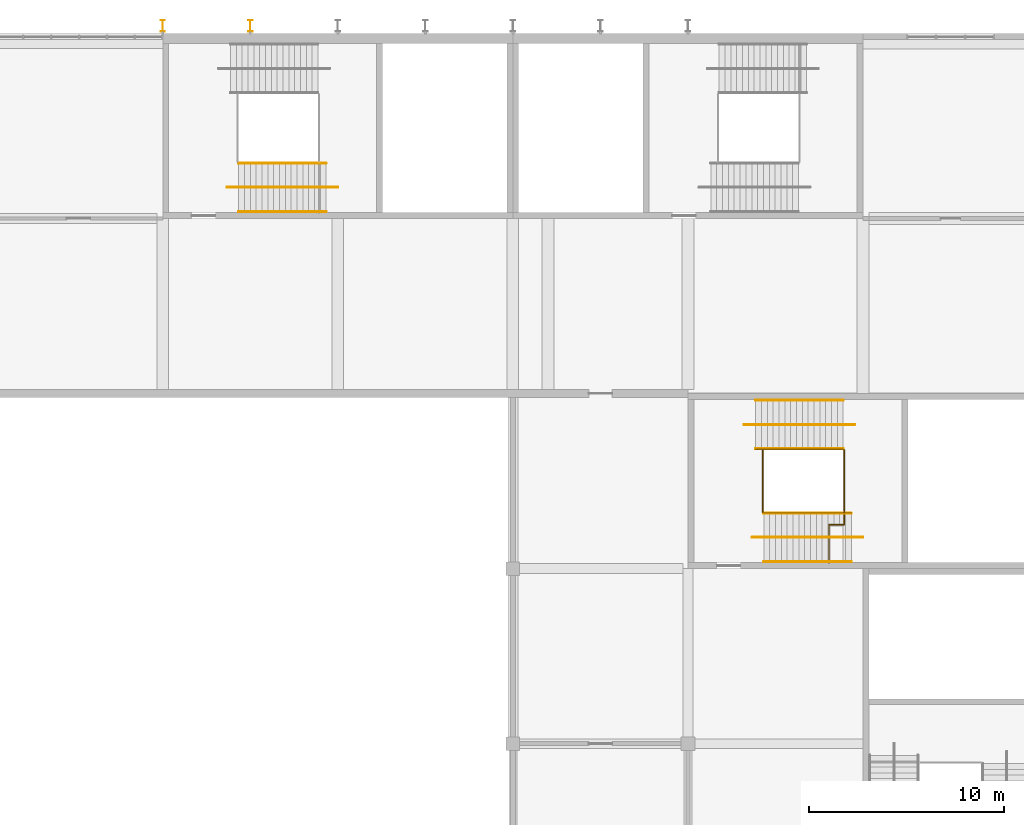
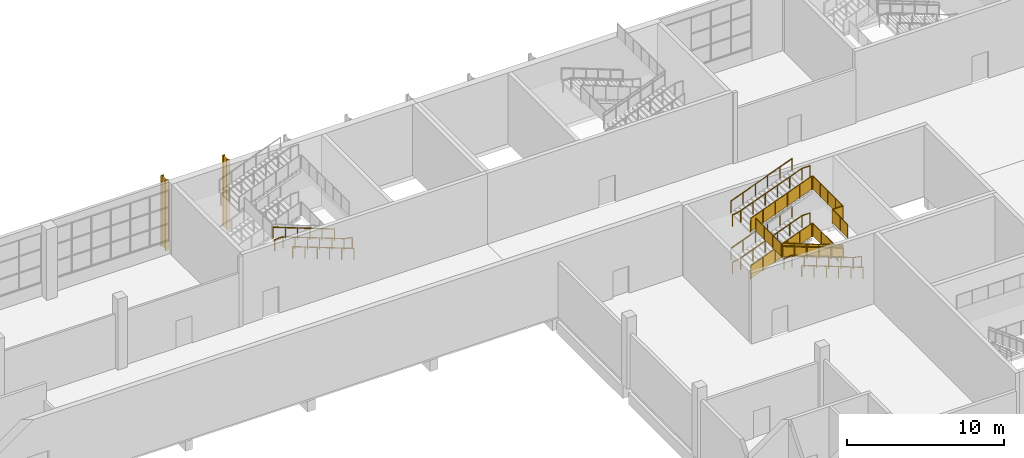
# One storey, part 76 of 84: 18 railings, 2 shading devices.
"""IFC4 building model written with IfcOpenShell, lengths in metres."""

from ifc_helpers import new_model, si_unit, direction, frame, origin, origin_2d, place, context, subcontext, project, spatial, polyline, circle, i_section, outline, extrude, material, material_profile, profile_set, type_object, element, save


model = new_model("IFC4")

# Units and contexts
model_context = context("Model", 3, precision=1e-05, world=origin(), true_north=direction((0.0, 1.0)))
body_context = subcontext(model_context, "Body", "Model", "MODEL_VIEW")
ifc_project = project(units=[si_unit("LENGTHUNIT", "METRE"), si_unit("AREAUNIT", "SQUARE_METRE"), si_unit("VOLUMEUNIT", "CUBIC_METRE"), si_unit("PLANEANGLEUNIT", "RADIAN"), si_unit("MASSUNIT", "GRAM", prefix="KILO")], contexts=[model_context])

# Site, building, storey
site_placement = place(None, origin())
site = spatial("IfcSite", under=ifc_project, at=site_placement, CompositionType="ELEMENT")
building_placement = place(site_placement, origin())
building = spatial("IfcBuilding", under=site, at=building_placement, Name="Silverbay Arena", CompositionType="ELEMENT")
storey_placement = place(building_placement, frame((0.0, 0.0, 28.0)))
storey = spatial("IfcBuildingStorey", under=building, at=storey_placement, Name="L04", CompositionType="ELEMENT", Elevation=28.0)

# Railings
ifc_material_1 = material(Name="Stainless steel", Category="steel")
railing_type_1 = type_object("IfcRailingType", Name="Stair guard 1100", PredefinedType="GUARDRAIL", material=ifc_material_1)
railing_1_placement = place(storey_placement, frame((174.4794921875, 123.125, 0.114501953125)))
element("IfcRailing", 1, at=railing_1_placement, inside=storey, type_object=railing_type_1, Name="Stair ST-NE1 L04 to L05 flight 1 guard left", PredefinedType="GUARDRAIL", context=body_context, shape_type="SweptSolid", body=[
    extrude(circle(Radius=0.02392578125, at=origin_2d()), frame((0.0, 0.0, 1.076171875), z_axis=(0.93417907455, 0.0, 0.356804507641), x_axis=(0.0, 1.0, 0.0)), (0.0, 0.0, 1.0), 4.817138671875),
    extrude(outline(polyline([(-0.008056640625, 0.046875), (0.907958984375, 0.396728515625), (0.907958984375, 1.39990234375), (-0.008056640625, 1.050048828125), (-0.008056640625, 0.046875)])), frame((0.0, 0.0029296875, 0.0), z_axis=(0.0, -1.0, 0.0), x_axis=(1.0, 0.0, 0.0)), (0.0, 0.0, 1.0), 0.006103515625),
    extrude(outline(polyline([(-0.008056640625, 0.390625), (0.907958984375, 0.740478515625), (0.907958984375, 1.74365234375), (-0.008056640625, 1.393798828125), (-0.008056640625, 0.390625)])), frame((0.89990234375, 0.0029296875, 0.0), z_axis=(0.0, -1.0, 0.0), x_axis=(1.0, 0.0, 0.0)), (0.0, 0.0, 1.0), 0.006103515625),
    extrude(outline(polyline([(-0.008056640625, 0.734375), (0.907958984375, 1.084228515625), (0.907958984375, 2.08740234375), (-0.008056640625, 1.737548828125), (-0.008056640625, 0.734375)])), frame((1.800048828125, 0.0029296875, 0.0), z_axis=(0.0, -1.0, 0.0), x_axis=(1.0, 0.0, 0.0)), (0.0, 0.0, 1.0), 0.006103515625),
    extrude(outline(polyline([(-0.008056640625, 1.078125), (0.907958984375, 1.427978515625), (0.907958984375, 2.43115234375), (-0.008056640625, 2.081298828125), (-0.008056640625, 1.078125)])), frame((2.699951171875, 0.0029296875, 0.0), z_axis=(0.0, -1.0, 0.0), x_axis=(1.0, 0.0, 0.0)), (0.0, 0.0, 1.0), 0.006103515625),
    extrude(outline(polyline([(-0.008056640625, 1.421875), (0.907958984375, 1.771728515625), (0.907958984375, 2.77490234375), (-0.008056640625, 2.425048828125), (-0.008056640625, 1.421875)])), frame((3.60009765625, 0.0029296875, 0.0), z_axis=(0.0, -1.0, 0.0), x_axis=(1.0, 0.0, 0.0)), (0.0, 0.0, 1.0), 0.006103515625),
    extrude(circle(Radius=0.02099609375, at=origin_2d()), origin(), (0.0, 0.0, 1.0), 1.052001953125),
    extrude(circle(Radius=0.02099609375, at=origin_2d()), frame((0.89990234375, 0.0, 0.34375)), (0.0, 0.0, 1.0), 1.052001953125),
    extrude(circle(Radius=0.02099609375, at=origin_2d()), frame((1.800048828125, 0.0, 0.6875)), (0.0, 0.0, 1.0), 1.052001953125),
    extrude(circle(Radius=0.02099609375, at=origin_2d()), frame((2.699951171875, 0.0, 1.03125)), (0.0, 0.0, 1.0), 1.052001953125),
    extrude(circle(Radius=0.02099609375, at=origin_2d()), frame((3.60009765625, 0.0, 1.375)), (0.0, 0.0, 1.0), 1.052001953125),
    extrude(circle(Radius=0.02099609375, at=origin_2d()), frame((4.5, 0.0, 1.71875)), (0.0, 0.0, 1.0), 1.052001953125),
])
railing_2_placement = place(storey_placement, frame((179.39990234375, 119.875, 1.947998046875)))
element("IfcRailing", 2, at=railing_2_placement, inside=storey, type_object=railing_type_1, Name="Stair ST-NE1 L04 to L05 flight 2 guard right", PredefinedType="GUARDRAIL", context=body_context, shape_type="SweptSolid", body=[
    extrude(circle(Radius=0.02392578125, at=origin_2d()), frame((0.0, 0.0, 1.076171875), z_axis=(-0.93417907455, 0.0, 0.356804507641), x_axis=(0.0, -1.0, 0.0)), (0.0, 0.0, 1.0), 4.817138671875),
    extrude(outline(polyline([(-0.008056640625, 0.046875), (0.907958984375, 0.396728515625), (0.907958984375, 1.39990234375), (-0.008056640625, 1.050048828125), (-0.008056640625, 0.046875)])), frame((0.0, -0.0029296875, 0.0), z_axis=(0.0, 1.0, 0.0), x_axis=(-1.0, 0.0, 0.0)), (0.0, 0.0, 1.0), 0.006103515625),
    extrude(outline(polyline([(-0.008056640625, 0.390625), (0.907958984375, 0.740478515625), (0.907958984375, 1.74365234375), (-0.008056640625, 1.393798828125), (-0.008056640625, 0.390625)])), frame((-0.89990234375, -0.0029296875, 0.0), z_axis=(0.0, 1.0, 0.0), x_axis=(-1.0, 0.0, 0.0)), (0.0, 0.0, 1.0), 0.006103515625),
    extrude(outline(polyline([(-0.008056640625, 0.734375), (0.907958984375, 1.084228515625), (0.907958984375, 2.08740234375), (-0.008056640625, 1.737548828125), (-0.008056640625, 0.734375)])), frame((-1.800048828125, -0.0029296875, 0.0), z_axis=(0.0, 1.0, 0.0), x_axis=(-1.0, 0.0, 0.0)), (0.0, 0.0, 1.0), 0.006103515625),
    extrude(outline(polyline([(-0.008056640625, 1.078125), (0.907958984375, 1.427978515625), (0.907958984375, 2.43115234375), (-0.008056640625, 2.081298828125), (-0.008056640625, 1.078125)])), frame((-2.699951171875, -0.0029296875, 0.0), z_axis=(0.0, 1.0, 0.0), x_axis=(-1.0, 0.0, 0.0)), (0.0, 0.0, 1.0), 0.006103515625),
    extrude(outline(polyline([(-0.008056640625, 1.421875), (0.907958984375, 1.771728515625), (0.907958984375, 2.77490234375), (-0.008056640625, 2.425048828125), (-0.008056640625, 1.421875)])), frame((-3.60009765625, -0.0029296875, 0.0), z_axis=(0.0, 1.0, 0.0), x_axis=(-1.0, 0.0, 0.0)), (0.0, 0.0, 1.0), 0.006103515625),
    extrude(circle(Radius=0.02099609375, at=origin_2d()), origin(), (0.0, 0.0, 1.0), 1.052001953125),
    extrude(circle(Radius=0.02099609375, at=origin_2d()), frame((-0.89990234375, 0.0, 0.34375)), (0.0, 0.0, 1.0), 1.052001953125),
    extrude(circle(Radius=0.02099609375, at=origin_2d()), frame((-1.800048828125, 0.0, 0.6875)), (0.0, 0.0, 1.0), 1.052001953125),
    extrude(circle(Radius=0.02099609375, at=origin_2d()), frame((-2.699951171875, 0.0, 1.03125)), (0.0, 0.0, 1.0), 1.052001953125),
    extrude(circle(Radius=0.02099609375, at=origin_2d()), frame((-3.60009765625, 0.0, 1.375)), (0.0, 0.0, 1.0), 1.052001953125),
    extrude(circle(Radius=0.02099609375, at=origin_2d()), frame((-4.5, 0.0, 1.71875)), (0.0, 0.0, 1.0), 1.052001953125),
])
railing_3_placement = place(storey_placement, frame((174.4794921875, 123.125, 3.78125)))
element("IfcRailing", 3, at=railing_3_placement, inside=storey, type_object=railing_type_1, Name="Stair ST-NE1 L04 to L05 flight 3 guard left", PredefinedType="GUARDRAIL", context=body_context, shape_type="SweptSolid", body=[
    extrude(circle(Radius=0.02392578125, at=origin_2d()), frame((0.0, 0.0, 1.076171875), z_axis=(0.93417907455, 0.0, 0.356804507641), x_axis=(0.0, 1.0, 0.0)), (0.0, 0.0, 1.0), 4.817138671875),
    extrude(outline(polyline([(-0.008056640625, 0.046875), (0.907958984375, 0.396728515625), (0.907958984375, 1.39990234375), (-0.008056640625, 1.050048828125), (-0.008056640625, 0.046875)])), frame((0.0, 0.0029296875, 0.0), z_axis=(0.0, -1.0, 0.0), x_axis=(1.0, 0.0, 0.0)), (0.0, 0.0, 1.0), 0.006103515625),
    extrude(outline(polyline([(-0.008056640625, 0.390625), (0.907958984375, 0.740478515625), (0.907958984375, 1.74365234375), (-0.008056640625, 1.393798828125), (-0.008056640625, 0.390625)])), frame((0.89990234375, 0.0029296875, 0.0), z_axis=(0.0, -1.0, 0.0), x_axis=(1.0, 0.0, 0.0)), (0.0, 0.0, 1.0), 0.006103515625),
    extrude(outline(polyline([(-0.008056640625, 0.734375), (0.907958984375, 1.084228515625), (0.907958984375, 2.08740234375), (-0.008056640625, 1.737548828125), (-0.008056640625, 0.734375)])), frame((1.800048828125, 0.0029296875, 0.0), z_axis=(0.0, -1.0, 0.0), x_axis=(1.0, 0.0, 0.0)), (0.0, 0.0, 1.0), 0.006103515625),
    extrude(outline(polyline([(-0.008056640625, 1.078125), (0.907958984375, 1.427978515625), (0.907958984375, 2.43115234375), (-0.008056640625, 2.081298828125), (-0.008056640625, 1.078125)])), frame((2.699951171875, 0.0029296875, 0.0), z_axis=(0.0, -1.0, 0.0), x_axis=(1.0, 0.0, 0.0)), (0.0, 0.0, 1.0), 0.006103515625),
    extrude(outline(polyline([(-0.008056640625, 1.421875), (0.907958984375, 1.771728515625), (0.907958984375, 2.77490234375), (-0.008056640625, 2.425048828125), (-0.008056640625, 1.421875)])), frame((3.60009765625, 0.0029296875, 0.0), z_axis=(0.0, -1.0, 0.0), x_axis=(1.0, 0.0, 0.0)), (0.0, 0.0, 1.0), 0.006103515625),
    extrude(circle(Radius=0.02099609375, at=origin_2d()), origin(), (0.0, 0.0, 1.0), 1.052001953125),
    extrude(circle(Radius=0.02099609375, at=origin_2d()), frame((0.89990234375, 0.0, 0.34375)), (0.0, 0.0, 1.0), 1.052001953125),
    extrude(circle(Radius=0.02099609375, at=origin_2d()), frame((1.800048828125, 0.0, 0.6875)), (0.0, 0.0, 1.0), 1.052001953125),
    extrude(circle(Radius=0.02099609375, at=origin_2d()), frame((2.699951171875, 0.0, 1.03125)), (0.0, 0.0, 1.0), 1.052001953125),
    extrude(circle(Radius=0.02099609375, at=origin_2d()), frame((3.60009765625, 0.0, 1.375)), (0.0, 0.0, 1.0), 1.052001953125),
    extrude(circle(Radius=0.02099609375, at=origin_2d()), frame((4.5, 0.0, 1.71875)), (0.0, 0.0, 1.0), 1.052001953125),
])
for number, where, name in (
    (4, (179.029541015625, 119.89990234375, 1.833251953125), "Stair ST-NE1 L04 to L05 landing 1 guard"),
    (5, (174.85009765625, 119.89990234375, 3.666748046875), "Stair ST-NE1 L04 to L05 landing 2 guard"),
):
    element("IfcRailing", number, at=place(storey_placement, frame(where)), inside=storey, type_object=railing_type_1, Name=name, PredefinedType="GUARDRAIL", context=body_context, shape_type="SweptSolid", body=[
        extrude(circle(Radius=0.02392578125, at=origin_2d()), frame((0.0, 0.0, 1.076171875), z_axis=(0.0, 1.0, 0.0), x_axis=(-1.0, 0.0, 0.0)), (0.0, 0.0, 1.0), 3.2001953125),
        extrude(outline(polyline([(-0.008056640625, 0.050048828125), (1.07470703125, 0.050048828125), (1.07470703125, 1.052978515625), (-0.008056640625, 1.052978515625), (-0.008056640625, 0.050048828125)])), frame((-0.0029296875, 0.0, 0.0), z_axis=(1.0, 0.0, 0.0), x_axis=(0.0, 1.0, 0.0)), (0.0, 0.0, 1.0), 0.006103515625),
        extrude(outline(polyline([(-0.008056640625, 0.050048828125), (1.07470703125, 0.050048828125), (1.07470703125, 1.052978515625), (-0.008056640625, 1.052978515625), (-0.008056640625, 0.050048828125)])), frame((-0.0029296875, 1.066650390625, 0.0), z_axis=(1.0, 0.0, 0.0), x_axis=(0.0, 1.0, 0.0)), (0.0, 0.0, 1.0), 0.006103515625),
        extrude(outline(polyline([(-0.008056640625, 0.050048828125), (1.07470703125, 0.050048828125), (1.07470703125, 1.052978515625), (-0.008056640625, 1.052978515625), (-0.008056640625, 0.050048828125)])), frame((-0.0029296875, 2.133544921875, 0.0), z_axis=(1.0, 0.0, 0.0), x_axis=(0.0, 1.0, 0.0)), (0.0, 0.0, 1.0), 0.006103515625),
        extrude(circle(Radius=0.02099609375, at=origin_2d()), origin(), (0.0, 0.0, 1.0), 1.052001953125),
        extrude(circle(Radius=0.02099609375, at=origin_2d()), frame((0.0, 1.066650390625, 0.0)), (0.0, 0.0, 1.0), 1.052001953125),
        extrude(circle(Radius=0.02099609375, at=origin_2d()), frame((0.0, 2.133544921875, 0.0)), (0.0, 0.0, 1.0), 1.052001953125),
        extrude(circle(Radius=0.02099609375, at=origin_2d()), frame((0.0, 3.2001953125, 0.0)), (0.0, 0.0, 1.0), 1.052001953125),
    ])
railing_4_placement = place(storey_placement, frame((179.029541015625, 123.10009765625, 5.5)))
element("IfcRailing", 6, at=railing_4_placement, inside=storey, type_object=railing_type_1, Name="Stair ST-NE1 L04 to L05 landing 3 guard", PredefinedType="GUARDRAIL", context=body_context, shape_type="SweptSolid", body=[
    extrude(circle(Radius=0.02392578125, at=origin_2d()), frame((0.0, 0.0, 1.076171875), z_axis=(0.0, -1.0, 0.0), x_axis=(1.0, 0.0, 0.0)), (0.0, 0.0, 1.0), 3.85009765625),
    extrude(outline(polyline([(-0.008056640625, 0.050048828125), (0.970458984375, 0.050048828125), (0.970458984375, 1.052978515625), (-0.008056640625, 1.052978515625), (-0.008056640625, 0.050048828125)])), frame((0.0029296875, 0.0, 0.0), z_axis=(-1.0, 0.0, 0.0), x_axis=(0.0, -1.0, 0.0)), (0.0, 0.0, 1.0), 0.006103515625),
    extrude(outline(polyline([(-0.008056640625, 0.050048828125), (0.970458984375, 0.050048828125), (0.970458984375, 1.052978515625), (-0.008056640625, 1.052978515625), (-0.008056640625, 0.050048828125)])), frame((0.0029296875, -0.96240234375, 0.0), z_axis=(-1.0, 0.0, 0.0), x_axis=(0.0, -1.0, 0.0)), (0.0, 0.0, 1.0), 0.006103515625),
    extrude(outline(polyline([(-0.008056640625, 0.050048828125), (0.970458984375, 0.050048828125), (0.970458984375, 1.052978515625), (-0.008056640625, 1.052978515625), (-0.008056640625, 0.050048828125)])), frame((0.0029296875, -1.925048828125, 0.0), z_axis=(-1.0, 0.0, 0.0), x_axis=(0.0, -1.0, 0.0)), (0.0, 0.0, 1.0), 0.006103515625),
    extrude(outline(polyline([(-0.008056640625, 0.050048828125), (0.970458984375, 0.050048828125), (0.970458984375, 1.052978515625), (-0.008056640625, 1.052978515625), (-0.008056640625, 0.050048828125)])), frame((0.0029296875, -2.8876953125, 0.0), z_axis=(-1.0, 0.0, 0.0), x_axis=(0.0, -1.0, 0.0)), (0.0, 0.0, 1.0), 0.006103515625),
    extrude(circle(Radius=0.02392578125, at=origin_2d()), frame((0.0, -3.85009765625, 1.076171875), z_axis=(-1.0, 0.0, 0.0), x_axis=(0.0, -1.0, 0.0)), (0.0, 0.0, 1.0), 0.780029296875),
    extrude(outline(polyline([(-0.008056640625, 0.050048828125), (0.7880859375, 0.050048828125), (0.7880859375, 1.052978515625), (-0.008056640625, 1.052978515625), (-0.008056640625, 0.050048828125)])), frame((0.0, -3.85302734375, 0.0), z_axis=(0.0, 1.0, 0.0), x_axis=(-1.0, 0.0, 0.0)), (0.0, 0.0, 1.0), 0.006103515625),
    extrude(circle(Radius=0.02392578125, at=origin_2d()), frame((-0.780029296875, -3.85009765625, 1.076171875), z_axis=(0.0, -1.0, 0.0), x_axis=(1.0, 0.0, 0.0)), (0.0, 0.0, 1.0), 1.949951171875),
    extrude(outline(polyline([(-0.008056640625, 0.050048828125), (0.98291015625, 0.050048828125), (0.98291015625, 1.052978515625), (-0.008056640625, 1.052978515625), (-0.008056640625, 0.050048828125)])), frame((-0.777099609375, -3.85009765625, 0.0), z_axis=(-1.0, 0.0, 0.0), x_axis=(0.0, -1.0, 0.0)), (0.0, 0.0, 1.0), 0.006103515625),
    extrude(outline(polyline([(-0.008056640625, 0.050048828125), (0.98291015625, 0.050048828125), (0.98291015625, 1.052978515625), (-0.008056640625, 1.052978515625), (-0.008056640625, 0.050048828125)])), frame((-0.777099609375, -4.8251953125, 0.0), z_axis=(-1.0, 0.0, 0.0), x_axis=(0.0, -1.0, 0.0)), (0.0, 0.0, 1.0), 0.006103515625),
    extrude(circle(Radius=0.02099609375, at=origin_2d()), origin(), (0.0, 0.0, 1.0), 1.052001953125),
    extrude(circle(Radius=0.02099609375, at=origin_2d()), frame((0.0, -0.96240234375, 0.0)), (0.0, 0.0, 1.0), 1.052001953125),
    extrude(circle(Radius=0.02099609375, at=origin_2d()), frame((0.0, -1.925048828125, 0.0)), (0.0, 0.0, 1.0), 1.052001953125),
    extrude(circle(Radius=0.02099609375, at=origin_2d()), frame((0.0, -2.8876953125, 0.0)), (0.0, 0.0, 1.0), 1.052001953125),
    extrude(circle(Radius=0.02099609375, at=origin_2d()), frame((0.0, -3.85009765625, 0.0)), (0.0, 0.0, 1.0), 1.052001953125),
    extrude(circle(Radius=0.02099609375, at=origin_2d()), frame((-0.780029296875, -3.85009765625, 0.0)), (0.0, 0.0, 1.0), 1.052001953125),
    extrude(circle(Radius=0.02099609375, at=origin_2d()), frame((-0.780029296875, -4.8251953125, 0.0)), (0.0, 0.0, 1.0), 1.052001953125),
    extrude(circle(Radius=0.02099609375, at=origin_2d()), frame((-0.780029296875, -5.800048828125, 0.0)), (0.0, 0.0, 1.0), 1.052001953125),
])
ifc_material_2 = material(Name="Stainless steel", Category="steel")
railing_type_2 = type_object("IfcRailingType", Name="Stair handrail 900", PredefinedType="HANDRAIL", material=ifc_material_2)
for number, where, name in (
    (7, (152.39990234375, 135.35009765625, 1.947998046875), "Stair ST-N3 L04 to L05 flight 2 handrail left"),
    (8, (152.39990234375, 137.8359375, 1.947998046875), "Stair ST-N3 L04 to L05 flight 2 handrail right"),
):
    element("IfcRailing", number, at=place(storey_placement, frame(where)), inside=storey, type_object=railing_type_2, Name=name, PredefinedType="HANDRAIL", context=body_context, shape_type="SweptSolid", body=[
        extrude(circle(Radius=0.02392578125, at=origin_2d()), frame((0.0, 0.0, 0.8759765625), z_axis=(-0.93417907455, 0.0, 0.356804507641), x_axis=(0.0, -1.0, 0.0)), (0.0, 0.0, 1.0), 4.817138671875),
        extrude(circle(Radius=0.02099609375, at=origin_2d()), origin(), (0.0, 0.0, 1.0), 0.851806640625),
        extrude(circle(Radius=0.02099609375, at=origin_2d()), frame((-0.89990234375, 0.0, 0.34375)), (0.0, 0.0, 1.0), 0.851806640625),
        extrude(circle(Radius=0.02099609375, at=origin_2d()), frame((-1.800048828125, 0.0, 0.6875)), (0.0, 0.0, 1.0), 0.851806640625),
        extrude(circle(Radius=0.02099609375, at=origin_2d()), frame((-2.699951171875, 0.0, 1.03125)), (0.0, 0.0, 1.0), 0.851806640625),
        extrude(circle(Radius=0.02099609375, at=origin_2d()), frame((-3.60009765625, 0.0, 1.375)), (0.0, 0.0, 1.0), 0.851806640625),
        extrude(circle(Radius=0.02099609375, at=origin_2d()), frame((-4.5, 0.0, 1.71875)), (0.0, 0.0, 1.0), 0.851806640625),
    ])
railing_5_placement = place(storey_placement, frame((153.0, 136.60009765625, 1.833251953125)))
element("IfcRailing", 9, at=railing_5_placement, inside=storey, type_object=railing_type_2, Name="Stair ST-N3 L04 to L05 flight 2 central handrail", PredefinedType="HANDRAIL", context=body_context, shape_type="SweptSolid", body=[
    extrude(circle(Radius=0.02392578125, at=origin_2d()), frame((0.0, 0.0, 0.8759765625), z_axis=(-0.982205411617, 0.0, 0.1878098224), x_axis=(0.0, -1.0, 0.0)), (0.0, 0.0, 1.0), 0.611083984375),
    extrude(circle(Radius=0.02392578125, at=origin_2d()), frame((-0.60009765625, 0.0, 0.99072265625), z_axis=(-0.93417907455, 0.0, 0.356804507641), x_axis=(0.0, -1.0, 0.0)), (0.0, 0.0, 1.0), 4.817138671875),
    extrude(circle(Radius=0.02392578125, at=origin_2d()), frame((-5.10009765625, 0.0, 2.70947265625), z_axis=(-1.0, 0.0, 0.0), x_axis=(0.0, -1.0, 0.0)), (0.0, 0.0, 1.0), 0.599853515625),
    extrude(circle(Radius=0.02099609375, at=origin_2d()), origin(), (0.0, 0.0, 1.0), 0.851806640625),
    extrude(circle(Radius=0.02099609375, at=origin_2d()), frame((-0.60009765625, 0.0, 0.11474609375)), (0.0, 0.0, 1.0), 0.851806640625),
    extrude(circle(Radius=0.02099609375, at=origin_2d()), frame((-1.5, 0.0, 0.45849609375)), (0.0, 0.0, 1.0), 0.851806640625),
    extrude(circle(Radius=0.02099609375, at=origin_2d()), frame((-2.400146484375, 0.0, 0.80224609375)), (0.0, 0.0, 1.0), 0.851806640625),
    extrude(circle(Radius=0.02099609375, at=origin_2d()), frame((-3.300048828125, 0.0, 1.14599609375)), (0.0, 0.0, 1.0), 0.851806640625),
    extrude(circle(Radius=0.02099609375, at=origin_2d()), frame((-4.2001953125, 0.0, 1.48974609375)), (0.0, 0.0, 1.0), 0.851806640625),
    extrude(circle(Radius=0.02099609375, at=origin_2d()), frame((-5.10009765625, 0.0, 1.83349609375)), (0.0, 0.0, 1.0), 0.851806640625),
    extrude(circle(Radius=0.02099609375, at=origin_2d()), frame((-5.699951171875, 0.0, 1.83349609375)), (0.0, 0.0, 1.0), 0.851806640625),
])
for number, where, name in (
    (10, (174.4794921875, 123.1640625, 0.114501953125), "Stair ST-NE1 L04 to L05 flight 1 handrail left"),
    (11, (174.4794921875, 125.64990234375, 0.114501953125), "Stair ST-NE1 L04 to L05 flight 1 handrail right"),
):
    element("IfcRailing", number, at=place(storey_placement, frame(where)), inside=storey, type_object=railing_type_2, Name=name, PredefinedType="HANDRAIL", context=body_context, shape_type="SweptSolid", body=[
        extrude(circle(Radius=0.02392578125, at=origin_2d()), frame((0.0, 0.0, 0.8759765625), z_axis=(0.93417907455, 0.0, 0.356804507641), x_axis=(0.0, 1.0, 0.0)), (0.0, 0.0, 1.0), 4.817138671875),
        extrude(circle(Radius=0.02099609375, at=origin_2d()), origin(), (0.0, 0.0, 1.0), 0.851806640625),
        extrude(circle(Radius=0.02099609375, at=origin_2d()), frame((0.89990234375, 0.0, 0.34375)), (0.0, 0.0, 1.0), 0.851806640625),
        extrude(circle(Radius=0.02099609375, at=origin_2d()), frame((1.800048828125, 0.0, 0.6875)), (0.0, 0.0, 1.0), 0.851806640625),
        extrude(circle(Radius=0.02099609375, at=origin_2d()), frame((2.699951171875, 0.0, 1.03125)), (0.0, 0.0, 1.0), 0.851806640625),
        extrude(circle(Radius=0.02099609375, at=origin_2d()), frame((3.60009765625, 0.0, 1.375)), (0.0, 0.0, 1.0), 0.851806640625),
        extrude(circle(Radius=0.02099609375, at=origin_2d()), frame((4.5, 0.0, 1.71875)), (0.0, 0.0, 1.0), 0.851806640625),
    ])
railing_6_placement = place(storey_placement, frame((173.879638671875, 124.39990234375, 0.0)))
element("IfcRailing", 12, at=railing_6_placement, inside=storey, type_object=railing_type_2, Name="Stair ST-NE1 L04 to L05 flight 1 central handrail", PredefinedType="HANDRAIL", context=body_context, shape_type="SweptSolid", body=[
    extrude(circle(Radius=0.02392578125, at=origin_2d()), frame((0.0, 0.0, 0.8759765625), z_axis=(0.982265007716, 0.0, 0.187497878966), x_axis=(0.0, 1.0, 0.0)), (0.0, 0.0, 1.0), 0.610595703125),
    extrude(circle(Radius=0.02392578125, at=origin_2d()), frame((0.599853515625, 0.0, 0.990234375), z_axis=(0.93417907455, 0.0, 0.356804507641), x_axis=(0.0, 1.0, 0.0)), (0.0, 0.0, 1.0), 4.817138671875),
    extrude(circle(Radius=0.02392578125, at=origin_2d()), frame((5.099853515625, 0.0, 2.708984375), z_axis=(1.0, 0.0, 0.0), x_axis=(0.0, 1.0, 0.0)), (0.0, 0.0, 1.0), 0.60009765625),
    extrude(circle(Radius=0.02099609375, at=origin_2d()), origin(), (0.0, 0.0, 1.0), 0.851806640625),
    extrude(circle(Radius=0.02099609375, at=origin_2d()), frame((0.599853515625, 0.0, 0.114501953125)), (0.0, 0.0, 1.0), 0.851806640625),
    extrude(circle(Radius=0.02099609375, at=origin_2d()), frame((1.499755859375, 0.0, 0.458251953125)), (0.0, 0.0, 1.0), 0.851806640625),
    extrude(circle(Radius=0.02099609375, at=origin_2d()), frame((2.39990234375, 0.0, 0.802001953125)), (0.0, 0.0, 1.0), 0.851806640625),
    extrude(circle(Radius=0.02099609375, at=origin_2d()), frame((3.2998046875, 0.0, 1.145751953125)), (0.0, 0.0, 1.0), 0.851806640625),
    extrude(circle(Radius=0.02099609375, at=origin_2d()), frame((4.199951171875, 0.0, 1.489501953125)), (0.0, 0.0, 1.0), 0.851806640625),
    extrude(circle(Radius=0.02099609375, at=origin_2d()), frame((5.099853515625, 0.0, 1.833251953125)), (0.0, 0.0, 1.0), 0.851806640625),
    extrude(circle(Radius=0.02099609375, at=origin_2d()), frame((5.699951171875, 0.0, 1.833251953125)), (0.0, 0.0, 1.0), 0.851806640625),
])
for number, where, name in (
    (13, (179.39990234375, 117.35009765625, 1.947998046875), "Stair ST-NE1 L04 to L05 flight 2 handrail left"),
    (14, (179.39990234375, 119.8359375, 1.947998046875), "Stair ST-NE1 L04 to L05 flight 2 handrail right"),
):
    element("IfcRailing", number, at=place(storey_placement, frame(where)), inside=storey, type_object=railing_type_2, Name=name, PredefinedType="HANDRAIL", context=body_context, shape_type="SweptSolid", body=[
        extrude(circle(Radius=0.02392578125, at=origin_2d()), frame((0.0, 0.0, 0.8759765625), z_axis=(-0.93417907455, 0.0, 0.356804507641), x_axis=(0.0, -1.0, 0.0)), (0.0, 0.0, 1.0), 4.817138671875),
        extrude(circle(Radius=0.02099609375, at=origin_2d()), origin(), (0.0, 0.0, 1.0), 0.851806640625),
        extrude(circle(Radius=0.02099609375, at=origin_2d()), frame((-0.89990234375, 0.0, 0.34375)), (0.0, 0.0, 1.0), 0.851806640625),
        extrude(circle(Radius=0.02099609375, at=origin_2d()), frame((-1.800048828125, 0.0, 0.6875)), (0.0, 0.0, 1.0), 0.851806640625),
        extrude(circle(Radius=0.02099609375, at=origin_2d()), frame((-2.699951171875, 0.0, 1.03125)), (0.0, 0.0, 1.0), 0.851806640625),
        extrude(circle(Radius=0.02099609375, at=origin_2d()), frame((-3.60009765625, 0.0, 1.375)), (0.0, 0.0, 1.0), 0.851806640625),
        extrude(circle(Radius=0.02099609375, at=origin_2d()), frame((-4.5, 0.0, 1.71875)), (0.0, 0.0, 1.0), 0.851806640625),
    ])
railing_7_placement = place(storey_placement, frame((180.0, 118.60009765625, 1.833251953125)))
element("IfcRailing", 15, at=railing_7_placement, inside=storey, type_object=railing_type_2, Name="Stair ST-NE1 L04 to L05 flight 2 central handrail", PredefinedType="HANDRAIL", context=body_context, shape_type="SweptSolid", body=[
    extrude(circle(Radius=0.02392578125, at=origin_2d()), frame((0.0, 0.0, 0.8759765625), z_axis=(-0.982205411617, 0.0, 0.1878098224), x_axis=(0.0, -1.0, 0.0)), (0.0, 0.0, 1.0), 0.611083984375),
    extrude(circle(Radius=0.02392578125, at=origin_2d()), frame((-0.60009765625, 0.0, 0.99072265625), z_axis=(-0.93417907455, 0.0, 0.356804507641), x_axis=(0.0, -1.0, 0.0)), (0.0, 0.0, 1.0), 4.817138671875),
    extrude(circle(Radius=0.02392578125, at=origin_2d()), frame((-5.10009765625, 0.0, 2.70947265625), z_axis=(-1.0, 0.0, 0.0), x_axis=(0.0, -1.0, 0.0)), (0.0, 0.0, 1.0), 0.599853515625),
    extrude(circle(Radius=0.02099609375, at=origin_2d()), origin(), (0.0, 0.0, 1.0), 0.851806640625),
    extrude(circle(Radius=0.02099609375, at=origin_2d()), frame((-0.60009765625, 0.0, 0.11474609375)), (0.0, 0.0, 1.0), 0.851806640625),
    extrude(circle(Radius=0.02099609375, at=origin_2d()), frame((-1.5, 0.0, 0.45849609375)), (0.0, 0.0, 1.0), 0.851806640625),
    extrude(circle(Radius=0.02099609375, at=origin_2d()), frame((-2.400146484375, 0.0, 0.80224609375)), (0.0, 0.0, 1.0), 0.851806640625),
    extrude(circle(Radius=0.02099609375, at=origin_2d()), frame((-3.300048828125, 0.0, 1.14599609375)), (0.0, 0.0, 1.0), 0.851806640625),
    extrude(circle(Radius=0.02099609375, at=origin_2d()), frame((-4.2001953125, 0.0, 1.48974609375)), (0.0, 0.0, 1.0), 0.851806640625),
    extrude(circle(Radius=0.02099609375, at=origin_2d()), frame((-5.10009765625, 0.0, 1.83349609375)), (0.0, 0.0, 1.0), 0.851806640625),
    extrude(circle(Radius=0.02099609375, at=origin_2d()), frame((-5.699951171875, 0.0, 1.83349609375)), (0.0, 0.0, 1.0), 0.851806640625),
])
for number, where, name in (
    (16, (174.4794921875, 123.1640625, 3.78125), "Stair ST-NE1 L04 to L05 flight 3 handrail left"),
    (17, (174.4794921875, 125.64990234375, 3.78125), "Stair ST-NE1 L04 to L05 flight 3 handrail right"),
):
    element("IfcRailing", number, at=place(storey_placement, frame(where)), inside=storey, type_object=railing_type_2, Name=name, PredefinedType="HANDRAIL", context=body_context, shape_type="SweptSolid", body=[
        extrude(circle(Radius=0.02392578125, at=origin_2d()), frame((0.0, 0.0, 0.8759765625), z_axis=(0.93417907455, 0.0, 0.356804507641), x_axis=(0.0, 1.0, 0.0)), (0.0, 0.0, 1.0), 4.817138671875),
        extrude(circle(Radius=0.02099609375, at=origin_2d()), origin(), (0.0, 0.0, 1.0), 0.851806640625),
        extrude(circle(Radius=0.02099609375, at=origin_2d()), frame((0.89990234375, 0.0, 0.34375)), (0.0, 0.0, 1.0), 0.851806640625),
        extrude(circle(Radius=0.02099609375, at=origin_2d()), frame((1.800048828125, 0.0, 0.6875)), (0.0, 0.0, 1.0), 0.851806640625),
        extrude(circle(Radius=0.02099609375, at=origin_2d()), frame((2.699951171875, 0.0, 1.03125)), (0.0, 0.0, 1.0), 0.851806640625),
        extrude(circle(Radius=0.02099609375, at=origin_2d()), frame((3.60009765625, 0.0, 1.375)), (0.0, 0.0, 1.0), 0.851806640625),
        extrude(circle(Radius=0.02099609375, at=origin_2d()), frame((4.5, 0.0, 1.71875)), (0.0, 0.0, 1.0), 0.851806640625),
    ])
railing_8_placement = place(storey_placement, frame((173.879638671875, 124.39990234375, 3.666748046875)))
element("IfcRailing", 18, at=railing_8_placement, inside=storey, type_object=railing_type_2, Name="Stair ST-NE1 L04 to L05 flight 3 central handrail", PredefinedType="HANDRAIL", context=body_context, shape_type="SweptSolid", body=[
    extrude(circle(Radius=0.02392578125, at=origin_2d()), frame((0.0, 0.0, 0.8759765625), z_axis=(0.982265007716, 0.0, 0.187497878966), x_axis=(0.0, 1.0, 0.0)), (0.0, 0.0, 1.0), 0.610595703125),
    extrude(circle(Radius=0.02392578125, at=origin_2d()), frame((0.599853515625, 0.0, 0.990234375), z_axis=(0.93417907455, 0.0, 0.356804507641), x_axis=(0.0, 1.0, 0.0)), (0.0, 0.0, 1.0), 4.817138671875),
    extrude(circle(Radius=0.02392578125, at=origin_2d()), frame((5.099853515625, 0.0, 2.708984375), z_axis=(1.0, 0.0, 0.0), x_axis=(0.0, 1.0, 0.0)), (0.0, 0.0, 1.0), 0.60009765625),
    extrude(circle(Radius=0.02099609375, at=origin_2d()), origin(), (0.0, 0.0, 1.0), 0.851806640625),
    extrude(circle(Radius=0.02099609375, at=origin_2d()), frame((0.599853515625, 0.0, 0.114501953125)), (0.0, 0.0, 1.0), 0.851806640625),
    extrude(circle(Radius=0.02099609375, at=origin_2d()), frame((1.499755859375, 0.0, 0.458251953125)), (0.0, 0.0, 1.0), 0.851806640625),
    extrude(circle(Radius=0.02099609375, at=origin_2d()), frame((2.39990234375, 0.0, 0.802001953125)), (0.0, 0.0, 1.0), 0.851806640625),
    extrude(circle(Radius=0.02099609375, at=origin_2d()), frame((3.2998046875, 0.0, 1.145751953125)), (0.0, 0.0, 1.0), 0.851806640625),
    extrude(circle(Radius=0.02099609375, at=origin_2d()), frame((4.199951171875, 0.0, 1.489501953125)), (0.0, 0.0, 1.0), 0.851806640625),
    extrude(circle(Radius=0.02099609375, at=origin_2d()), frame((5.099853515625, 0.0, 1.833251953125)), (0.0, 0.0, 1.0), 0.851806640625),
    extrude(circle(Radius=0.02099609375, at=origin_2d()), frame((5.699951171875, 0.0, 1.833251953125)), (0.0, 0.0, 1.0), 0.851806640625),
])

# Shading devices
ifc_material_3 = material(Name="Steel S355", Category="steel")
ifc_material_profile = material_profile(ifc_material_3, i_section(OverallWidth=0.2275390625, OverallDepth=0.6025390625, WebThickness=0.010498046875, FlangeThickness=0.014892578125, at=origin_2d()), Name="UB 610x229x101")
ifc_profile_set = profile_set([ifc_material_profile], Name="Steel S355")
shading_device_type = type_object("IfcShadingDeviceType", Name="Steel fin UB 610x229x101", PredefinedType="USERDEFINED", material=ifc_profile_set)
for number, where, z_axis, x_axis, name in (
    (19, (144.0, 144.9013671875, 0.0), (0.0, 0.0, 1.0), (1.0, 0.0, 0.0), "Steel fin N L04 20"),
    (20, (148.5, 144.9013671875, 0.0), (0.0, 0.0, 1.0), (1.0, 0.0, 0.0), "Steel fin N L04 21"),
):
    element("IfcShadingDevice", number, at=place(storey_placement, frame(where, z_axis=z_axis, x_axis=x_axis)), inside=storey, type_object=shading_device_type, Name=name, ObjectType="FIN", PredefinedType="USERDEFINED", context=body_context, shape_type="SweptSolid", body=[
        extrude(i_section(OverallWidth=0.2275390625, OverallDepth=0.6025390625, WebThickness=0.010498046875, FlangeThickness=0.014892578125, at=origin_2d()), origin(), (0.0, 0.0, 1.0), 5.5),
    ])

save(model, "model.ifc")
